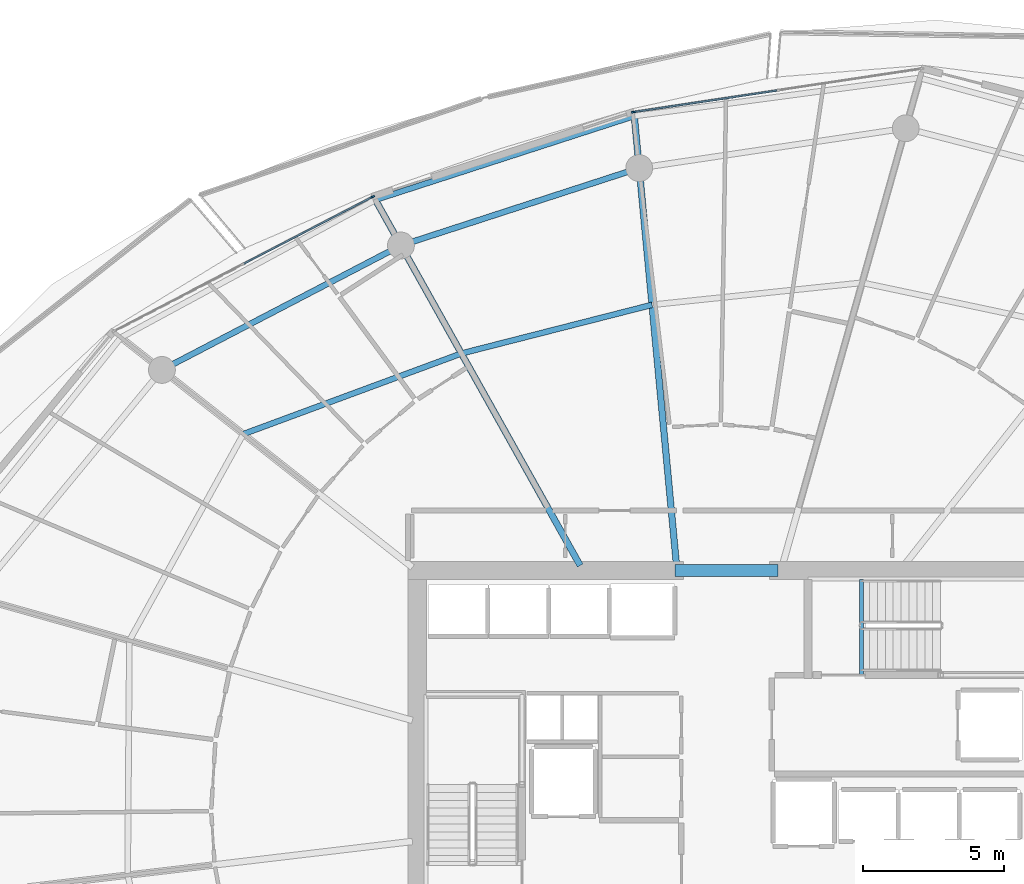
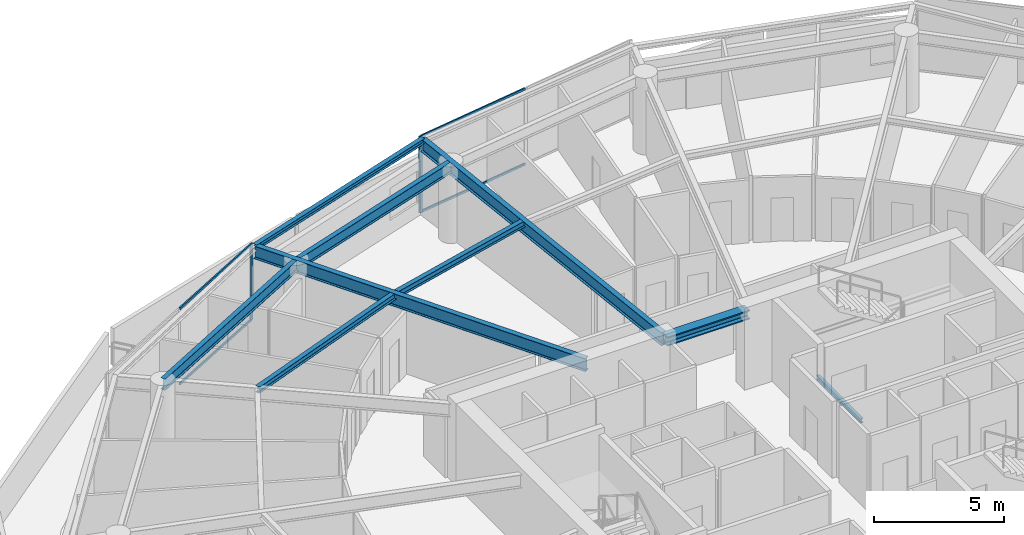
# One storey, part 13 of 30: 9 beams, 6 members, 2 elements without a shape of their own.
"""IFC4 building model written with IfcOpenShell, lengths in metres."""

from ifc_helpers import new_model, si_unit, direction, frame, origin, origin_2d, place, context, subcontext, project, spatial, rectangle, i_section, extrude, material, layer, layer_set, material_profile, profile_set, type_object, element, aggregate, save


model = new_model("IFC4")

# Units and contexts
model_context = context("Model", 3, precision=1e-05, world=origin(), true_north=direction((0.0, 1.0)))
body_context = subcontext(model_context, "Body", "Model", "MODEL_VIEW")
ifc_project = project(units=[si_unit("LENGTHUNIT", "METRE"), si_unit("AREAUNIT", "SQUARE_METRE"), si_unit("VOLUMEUNIT", "CUBIC_METRE"), si_unit("PLANEANGLEUNIT", "RADIAN"), si_unit("MASSUNIT", "GRAM", prefix="KILO")], contexts=[model_context])

# Site, building, storey
site_placement = place(None, origin())
site = spatial("IfcSite", under=ifc_project, at=site_placement, CompositionType="ELEMENT")
building_placement = place(site_placement, origin())
building = spatial("IfcBuilding", under=site, at=building_placement, Name="Kazma Halo Residences", CompositionType="ELEMENT")
storey_placement = place(building_placement, frame((0.0, 0.0, 236.699951171875)))
storey = spatial("IfcBuildingStorey", under=building, at=storey_placement, Name="L59", CompositionType="ELEMENT", Elevation=236.699951171875)

# Beams
ifc_material_1 = material(Name="Steel S355", Category="steel")
ifc_material_profile_1 = material_profile(ifc_material_1, i_section(OverallWidth=0.201904296875, OverallDepth=0.2470703125, WebThickness=0.00732421875, FlangeThickness=0.010986328125, FilletRadius=0.011962890625, at=origin_2d()), Name="W250x49.1")
ifc_profile_set_1 = profile_set([ifc_material_profile_1], Name="Steel S355")
beam_type_1 = type_object("IfcBeamType", Name="BM-BAL-CANT", PredefinedType="BEAM", material=ifc_profile_set_1)
beam_1_placement = place(storey_placement, frame((45.155517578125, 66.41259765625, 3.466552734375), z_axis=(-0.951357597741, -0.308088820344, 0.0), x_axis=(0.308088820344, -0.951357597741, 0.0)))
element("IfcBeam", 1, at=beam_1_placement, inside=storey, type_object=beam_type_1, Name="L59 wave-balcony tie beam 04", PredefinedType="BEAM", context=body_context, shape_type="SweptSolid", body=[
    extrude(i_section(OverallWidth=0.201904296875, OverallDepth=0.2470703125, WebThickness=0.00732421875, FlangeThickness=0.010986328125, FilletRadius=0.011962890625, at=origin_2d()), origin(), (0.0, 0.0, 1.0), 9.633544921875),
])
ifc_material_profile_2 = material_profile(ifc_material_1, i_section(OverallWidth=0.408935546875, OverallDepth=0.425048828125, WebThickness=0.03271484375, FlangeThickness=0.052490234375, FilletRadius=0.02001953125, at=origin_2d()), Name="W360x421")
ifc_profile_set_2 = profile_set([ifc_material_profile_2], Name="Steel S355")
beam_type_2 = type_object("IfcBeamType", Name="BM-CORE-W360H", PredefinedType="BEAM", material=ifc_profile_set_2)
beam_2_placement = place(storey_placement, frame((46.60009765625, 50.324951171875, 3.37744140625), z_axis=(1.0, 0.0, 0.0), x_axis=(0.0, 1.0, 0.0)))
element("IfcBeam", 2, at=beam_2_placement, inside=storey, type_object=beam_type_2, Name="L59 core coupling beam N", PredefinedType="BEAM", context=body_context, shape_type="SweptSolid", body=[
    extrude(i_section(OverallWidth=0.408935546875, OverallDepth=0.425048828125, WebThickness=0.03271484375, FlangeThickness=0.052490234375, FilletRadius=0.02001953125, at=origin_2d()), origin(), (0.0, 0.0, 1.0), 3.64990234375),
])
ifc_material_profile_3 = material_profile(ifc_material_1, i_section(OverallWidth=0.22802734375, OverallDepth=0.60791015625, WebThickness=0.01123046875, FlangeThickness=0.017333984375, FilletRadius=0.01806640625, at=origin_2d()), Name="W610x113")
ifc_profile_set_3 = profile_set([ifc_material_profile_3], Name="Steel S355")
beam_type_3 = type_object("IfcBeamType", Name="BM-RAD-W610", PredefinedType="BEAM", material=ifc_profile_set_3)
beam_3_placement = place(storey_placement, frame((46.64990234375, 50.5, 3.2861328125), z_axis=(-0.093500648044, 0.995619218786, 0.0), x_axis=(-0.995619218786, -0.093500648044, 0.0)))
element("IfcBeam", 3, at=beam_3_placement, inside=storey, type_object=beam_type_3, Name="L59 radial floor beam 04", PredefinedType="BEAM", context=body_context, shape_type="SweptSolid", body=[
    extrude(i_section(OverallWidth=0.22802734375, OverallDepth=0.60791015625, WebThickness=0.01123046875, FlangeThickness=0.017333984375, FilletRadius=0.01806640625, at=origin_2d()), origin(), (0.0, 0.0, 1.0), 15.982666015625),
])
beam_4_placement = place(storey_placement, frame((43.23974609375, 50.5, 3.2861328125), z_axis=(-0.488618902548, 0.872497316943, 0.0), x_axis=(-0.872497316943, -0.488618902548, 0.0)))
element("IfcBeam", 4, at=beam_4_placement, inside=storey, type_object=beam_type_3, Name="L59 radial floor beam 05", PredefinedType="BEAM", context=body_context, shape_type="SweptSolid", body=[
    extrude(i_section(OverallWidth=0.22802734375, OverallDepth=0.60791015625, WebThickness=0.01123046875, FlangeThickness=0.017333984375, FilletRadius=0.01806640625, at=origin_2d()), origin(), (0.0, 0.0, 1.0), 14.836181640625),
])
ifc_material_profile_4 = material_profile(ifc_material_1, i_section(OverallWidth=0.202880859375, OverallDepth=0.302978515625, WebThickness=0.007568359375, FlangeThickness=0.01318359375, FilletRadius=0.013916015625, at=origin_2d()), Name="W310x60")
ifc_profile_set_4 = profile_set([ifc_material_profile_4], Name="Steel S355")
beam_type_4 = type_object("IfcBeamType", Name="BM-SEC-W310A", PredefinedType="JOIST", material=ifc_profile_set_4)
beam_5_placement = place(storey_placement, frame((45.783203125, 59.7294921875, 3.4384765625), z_axis=(-0.968957746759, -0.2472263841, 0.0), x_axis=(0.2472263841, -0.968957746759, 0.0)))
element("IfcBeam", 5, at=beam_5_placement, inside=storey, type_object=beam_type_4, Name="L59 circumferential floor joist 04", PredefinedType="JOIST", context=body_context, shape_type="SweptSolid", body=[
    extrude(i_section(OverallWidth=0.202880859375, OverallDepth=0.302978515625, WebThickness=0.007568359375, FlangeThickness=0.01318359375, FilletRadius=0.013916015625, at=origin_2d()), origin(), (0.0, 0.0, 1.0), 6.9638671875),
])
beam_6_placement = place(storey_placement, frame((39.035400390625, 58.0078125, 3.4384765625), z_axis=(-0.937943961726, -0.346786857683, 0.0), x_axis=(0.346786857683, -0.937943961726, 0.0)))
element("IfcBeam", 6, at=beam_6_placement, inside=storey, type_object=beam_type_4, Name="L59 circumferential floor joist 05", PredefinedType="JOIST", context=body_context, shape_type="SweptSolid", body=[
    extrude(i_section(OverallWidth=0.202880859375, OverallDepth=0.302978515625, WebThickness=0.007568359375, FlangeThickness=0.01318359375, FilletRadius=0.013916015625, at=origin_2d()), origin(), (0.0, 0.0, 1.0), 8.231201171875),
])
ifc_material_profile_5 = material_profile(ifc_material_1, i_section(OverallWidth=0.208984375, OverallDepth=0.532958984375, WebThickness=0.01025390625, FlangeThickness=0.015625, FilletRadius=0.01611328125, at=origin_2d()), Name="W530x92")
ifc_profile_set_5 = profile_set([ifc_material_profile_5], Name="Steel S355")
beam_type_5 = type_object("IfcBeamType", Name="BM-SPN-W530", PredefinedType="BEAM", material=ifc_profile_set_5)
beam_7_placement = place(storey_placement, frame((45.32861328125, 64.57080078125, 3.323486328125), z_axis=(-0.951053893407, -0.309025066679, 0.0), x_axis=(0.309025066679, -0.951053893407, 0.0)))
element("IfcBeam", 7, at=beam_7_placement, inside=storey, type_object=beam_type_5, Name="L59 perimeter ring beam 04", PredefinedType="BEAM", context=body_context, shape_type="SweptSolid", body=[
    extrude(i_section(OverallWidth=0.208984375, OverallDepth=0.532958984375, WebThickness=0.01025390625, FlangeThickness=0.015625, FilletRadius=0.01611328125, at=origin_2d()), origin(), (0.0, 0.0, 1.0), 8.8681640625),
])
beam_8_placement = place(storey_placement, frame((36.89453125, 61.830322265625, 3.323486328125), z_axis=(-0.886961047115, -0.461844238788, 0.0), x_axis=(0.461844238788, -0.886961047115, 0.0)))
element("IfcBeam", 8, at=beam_8_placement, inside=storey, type_object=beam_type_5, Name="L59 perimeter ring beam 05", PredefinedType="BEAM", context=body_context, shape_type="SweptSolid", body=[
    extrude(i_section(OverallWidth=0.208984375, OverallDepth=0.532958984375, WebThickness=0.01025390625, FlangeThickness=0.015625, FilletRadius=0.01611328125, at=origin_2d()), origin(), (0.0, 0.0, 1.0), 9.5390625),
])
ifc_material_profile_6 = material_profile(ifc_material_1, i_section(OverallWidth=0.133056640625, OverallDepth=0.20703125, WebThickness=0.005859375, FlangeThickness=0.00830078125, FilletRadius=0.010009765625, at=origin_2d()), Name="W200x26.6")
ifc_profile_set_6 = profile_set([ifc_material_profile_6], Name="Steel S355")
beam_type_6 = type_object("IfcBeamType", Name="BM-TRIM-W200", PredefinedType="BEAM", material=ifc_profile_set_6)
beam_9_placement = place(storey_placement, frame((53.199951171875, 46.6201171875, -0.510009765625), z_axis=(0.0, 1.0, 0.0), x_axis=(-1.0, 0.0, 0.0)))
element("IfcBeam", 9, at=beam_9_placement, inside=storey, type_object=beam_type_6, Name="L59 ST-02 floor landing support beam", PredefinedType="BEAM", context=body_context, shape_type="SweptSolid", body=[
    extrude(i_section(OverallWidth=0.133056640625, OverallDepth=0.20703125, WebThickness=0.005859375, FlangeThickness=0.00830078125, FilletRadius=0.010009765625, at=origin_2d()), origin(), (0.0, 0.0, 1.0), 3.3798828125),
])

# Curtain wall, member
ifc_material_2 = material(Name="Aluminium AW-6063 T6 and Triple-Silver Low-E Glass", Category="aluminium")
ifc_layer = layer(ifc_material_2, 0.139892578125)
ifc_layer_set = layer_set([ifc_layer], Name="Aluminium AW-6063 T6 and Triple-Silver Low-E Glass")
curtain_wall_type = type_object("IfcCurtainWallType", Name="CW-SYS-5", PredefinedType="NOTDEFINED", material=ifc_layer_set)
curtain_wall_1_placement = place(storey_placement, origin())
curtain_wall_1 = element("IfcCurtainWall", 10, at=curtain_wall_1_placement, inside=storey, type_object=curtain_wall_type, Name="L59 unitised curtain wall B03", PredefinedType="NOTDEFINED")
ifc_material_3 = material(Name="Aluminium AW-6063 T6", Category="aluminium")
ifc_material_profile_7 = material_profile(ifc_material_3, rectangle(XDim=0.06005859375, YDim=0.139892578125, at=origin_2d()), Name="CWM-60x140")
ifc_profile_set_7 = profile_set([ifc_material_profile_7], Name="Aluminium AW-6063 T6")
member_type_1 = type_object("IfcMemberType", Name="CW-SYS-5-MUL", PredefinedType="MULLION", material=ifc_profile_set_7)
member_1_placement = place(storey_placement, frame((45.124267578125, 66.552734375, 0.0), z_axis=(0.0, 0.0, 1.0), x_axis=(0.148697080374, -0.988882792998, 0.0)))
member_1 = element("IfcMember", 11, at=member_1_placement, type_object=member_type_1, Name="CWS-5 mullion 3", PredefinedType="MULLION", context=body_context, shape_type="SweptSolid", body=[
    extrude(rectangle(XDim=0.06005859375, YDim=0.139892578125, at=origin_2d()), origin(), (0.0, 0.0, 1.0), 3.590087890625),
])

curtain_wall_2_placement = place(storey_placement, origin())
curtain_wall_2 = element("IfcCurtainWall", 12, at=curtain_wall_2_placement, inside=storey, type_object=curtain_wall_type, Name="L59 unitised curtain wall B05", PredefinedType="NOTDEFINED")
member_2_placement = place(storey_placement, frame((35.894775390625, 63.553955078125, 0.0), z_axis=(0.0, 0.0, 1.0), x_axis=(0.460960760804, -0.887420518694, 0.0)))
member_2 = element("IfcMember", 13, at=member_2_placement, type_object=member_type_1, Name="CWS-5 mullion 1", PredefinedType="MULLION", context=body_context, shape_type="SweptSolid", body=[
    extrude(rectangle(XDim=0.06005859375, YDim=0.139892578125, at=origin_2d()), origin(), (0.0, 0.0, 1.0), 3.590087890625),
])

# Member
ifc_material_profile_8 = material_profile(ifc_material_3, rectangle(XDim=0.06005859375, YDim=0.10498046875, at=origin_2d()), Name="CWT-60x105")
ifc_profile_set_8 = profile_set([ifc_material_profile_8], Name="Aluminium AW-6063 T6")
member_type_2 = type_object("IfcMemberType", Name="CW-SYS-5-TRN", PredefinedType="USERDEFINED", material=ifc_profile_set_8)
member_3_placement = place(storey_placement, frame((50.19677734375, 67.3154296875, 0.030029296875), z_axis=(-0.988882913569, -0.148696278541, 0.0), x_axis=(0.148696278541, -0.988882913569, 0.0)))
member_3 = element("IfcMember", 14, at=member_3_placement, type_object=member_type_2, Name="CWS-5 transom 2.1", ObjectType="TRANSOM", PredefinedType="USERDEFINED", context=body_context, shape_type="SweptSolid", body=[
    extrude(rectangle(XDim=0.06005859375, YDim=0.10498046875, at=origin_2d()), origin(), (0.0, 0.0, 1.0), 5.099609375),
])

member_4_placement = place(storey_placement, frame((50.19677734375, 67.3154296875, 3.56005859375), z_axis=(-0.988882913569, -0.148696278541, 0.0), x_axis=(0.148696278541, -0.988882913569, 0.0)))
member_4 = element("IfcMember", 15, at=member_4_placement, type_object=member_type_2, Name="CWS-5 transom 2.2", ObjectType="TRANSOM", PredefinedType="USERDEFINED", context=body_context, shape_type="SweptSolid", body=[
    extrude(rectangle(XDim=0.06005859375, YDim=0.10498046875, at=origin_2d()), origin(), (0.0, 0.0, 1.0), 5.099609375),
])

aggregate(curtain_wall_1, [member_1, member_3, member_4])

member_5_placement = place(storey_placement, frame((35.8681640625, 63.5400390625, 0.030029296875), z_axis=(-0.887436955863, -0.46092911534, 0.0), x_axis=(0.46092911534, -0.887436955863, 0.0)))
member_5 = element("IfcMember", 16, at=member_5_placement, type_object=member_type_2, Name="CWS-5 transom 1.1", ObjectType="TRANSOM", PredefinedType="USERDEFINED", context=body_context, shape_type="SweptSolid", body=[
    extrude(rectangle(XDim=0.06005859375, YDim=0.10498046875, at=origin_2d()), origin(), (0.0, 0.0, 1.0), 5.099609375),
])

member_6_placement = place(storey_placement, frame((35.8681640625, 63.5400390625, 3.56005859375), z_axis=(-0.887436955863, -0.46092911534, 0.0), x_axis=(0.46092911534, -0.887436955863, 0.0)))
member_6 = element("IfcMember", 17, at=member_6_placement, type_object=member_type_2, Name="CWS-5 transom 1.2", ObjectType="TRANSOM", PredefinedType="USERDEFINED", context=body_context, shape_type="SweptSolid", body=[
    extrude(rectangle(XDim=0.06005859375, YDim=0.10498046875, at=origin_2d()), origin(), (0.0, 0.0, 1.0), 5.099609375),
])

aggregate(curtain_wall_2, [member_2, member_5, member_6])

save(model, "model.ifc")
